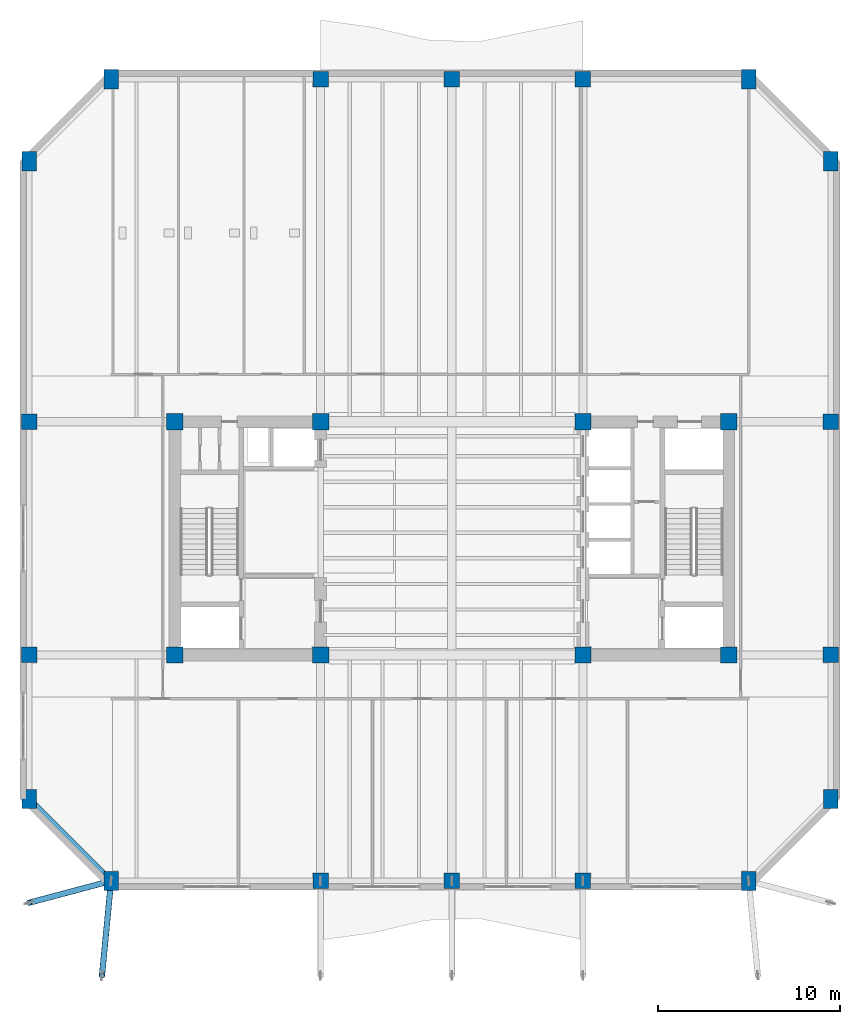
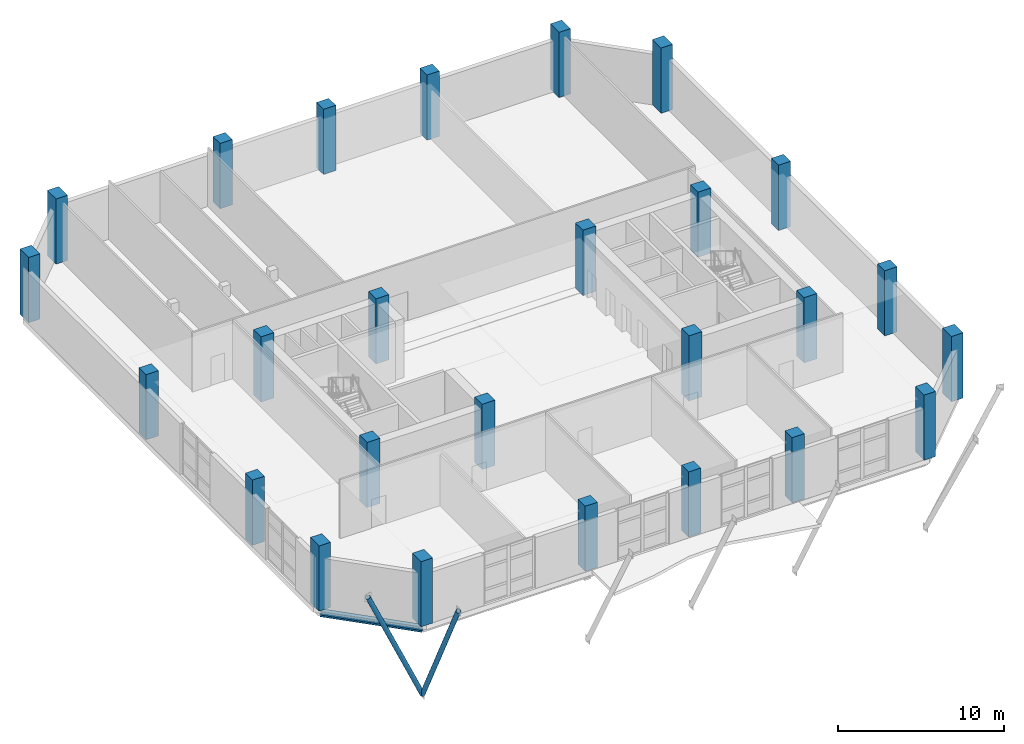
# One storey, part 1 of 15: 26 columns, 2 members, 1 beam.
"""IFC4 building model written with IfcOpenShell, lengths in metres."""

from ifc_helpers import new_model, si_unit, direction, frame, origin, origin_2d, place, context, subcontext, project, spatial, rectangle, hollow_circle, i_section, extrude, material, material_profile, profile_set, type_object, element, save


model = new_model("IFC4")

# Units and contexts
model_context = context("Model", 3, precision=1e-05, world=origin(), true_north=direction((0.0, 1.0)))
body_context = subcontext(model_context, "Body", "Model", "MODEL_VIEW")
ifc_project = project(units=[si_unit("LENGTHUNIT", "METRE"), si_unit("AREAUNIT", "SQUARE_METRE"), si_unit("VOLUMEUNIT", "CUBIC_METRE"), si_unit("PLANEANGLEUNIT", "RADIAN"), si_unit("MASSUNIT", "GRAM", prefix="KILO")], contexts=[model_context])

# Site, building, storey
site_placement = place(None, origin())
site = spatial("IfcSite", under=ifc_project, at=site_placement, CompositionType="ELEMENT")
building_placement = place(site_placement, origin())
building = spatial("IfcBuilding", under=site, at=building_placement, Name="Kranthara Brick Stack", CompositionType="ELEMENT")
storey_placement = place(building_placement, frame((0.0, 0.0, 202.699951171875)))
storey = spatial("IfcBuildingStorey", under=building, at=storey_placement, Name="L52", CompositionType="ELEMENT", Elevation=202.699951171875)

# Columns
ifc_material_1 = material(Name="Concrete C60/75", Category="concrete")
ifc_material_profile_1 = material_profile(ifc_material_1, rectangle(XDim=0.800048828125, YDim=1.050048828125, at=origin_2d()), Name="RC 800x1050")
ifc_profile_set_1 = profile_set([ifc_material_profile_1], Name="Concrete C60/75")
column_type_1 = type_object("IfcColumnType", Name="COL-CHAM-800x1050", PredefinedType="COLUMN", material=ifc_profile_set_1)
for number, where, z_axis, x_axis, name in (
    (1, (9.300048828125, 8.39990234375, 0.0), (0.0, 0.0, 1.0), (1.0, 0.0, 0.0), "L52 Column 09"),
    (2, (9.300048828125, 52.39990234375, 0.0), (0.0, 0.0, 1.0), (1.0, 0.0, 0.0), "L52 Column 10"),
    (3, (44.300048828125, 8.39990234375, 0.0), (0.0, 0.0, 1.0), (1.0, 0.0, 0.0), "L52 Column 17"),
    (4, (44.300048828125, 52.39990234375, 0.0), (0.0, 0.0, 1.0), (1.0, 0.0, 0.0), "L52 Column 18"),
    (5, (4.800048828125, 12.89990234375, 0.0), (0.0, 0.0, 1.0), (1.0, 0.0, 0.0), "L52 Column 19"),
    (6, (48.800048828125, 12.89990234375, 0.0), (0.0, 0.0, 1.0), (1.0, 0.0, 0.0), "L52 Column 20"),
    (7, (4.800048828125, 47.89990234375, 0.0), (0.0, 0.0, 1.0), (1.0, 0.0, 0.0), "L52 Column 25"),
    (8, (48.800048828125, 47.89990234375, 0.0), (0.0, 0.0, 1.0), (1.0, 0.0, 0.0), "L52 Column 26"),
):
    element("IfcColumn", number, at=place(storey_placement, frame(where, z_axis=z_axis, x_axis=x_axis)), inside=storey, type_object=column_type_1, Name=name, PredefinedType="COLUMN", context=body_context, shape_type="SweptSolid", body=[
        extrude(rectangle(XDim=0.800048828125, YDim=1.050048828125, at=origin_2d()), origin(), (0.0, 0.0, 1.0), 4.800048828125),
    ])
ifc_material_2 = material(Name="Concrete C60/75", Category="concrete")
ifc_material_profile_2 = material_profile(ifc_material_2, rectangle(XDim=0.89990234375, YDim=0.89990234375, at=origin_2d()), Name="RC 900x900")
ifc_profile_set_2 = profile_set([ifc_material_profile_2], Name="Concrete C60/75")
column_type_2 = type_object("IfcColumnType", Name="COL-CORE-900", PredefinedType="COLUMN", material=ifc_profile_set_2)
for number, where, z_axis, x_axis, name in (
    (9, (12.800048828125, 20.800048828125, 0.0), (0.0, 0.0, 1.0), (1.0, 0.0, 0.0), "L52 Column 01"),
    (10, (20.800048828125, 20.800048828125, 0.0), (0.0, 0.0, 1.0), (1.0, 0.0, 0.0), "L52 Column 02"),
    (11, (12.800048828125, 33.60009765625, 0.0), (0.0, 0.0, 1.0), (1.0, 0.0, 0.0), "L52 Column 03"),
    (12, (20.800048828125, 33.60009765625, 0.0), (0.0, 0.0, 1.0), (1.0, 0.0, 0.0), "L52 Column 04"),
    (13, (35.199951171875, 20.800048828125, 0.0), (0.0, 0.0, 1.0), (1.0, 0.0, 0.0), "L52 Column 05"),
    (14, (43.199951171875, 20.800048828125, 0.0), (0.0, 0.0, 1.0), (1.0, 0.0, 0.0), "L52 Column 06"),
    (15, (35.199951171875, 33.60009765625, 0.0), (0.0, 0.0, 1.0), (1.0, 0.0, 0.0), "L52 Column 07"),
    (16, (43.199951171875, 33.60009765625, 0.0), (0.0, 0.0, 1.0), (1.0, 0.0, 0.0), "L52 Column 08"),
):
    element("IfcColumn", number, at=place(storey_placement, frame(where, z_axis=z_axis, x_axis=x_axis)), inside=storey, type_object=column_type_2, Name=name, PredefinedType="COLUMN", context=body_context, shape_type="SweptSolid", body=[
        extrude(rectangle(XDim=0.89990234375, YDim=0.89990234375, at=origin_2d()), origin(), (0.0, 0.0, 1.0), 4.800048828125),
    ])
ifc_material_3 = material(Name="Concrete C50/60", Category="concrete")
ifc_material_profile_3 = material_profile(ifc_material_3, rectangle(XDim=0.85009765625, YDim=0.85009765625, at=origin_2d()), Name="RC 850x850")
ifc_profile_set_3 = profile_set([ifc_material_profile_3], Name="Concrete C50/60")
column_type_3 = type_object("IfcColumnType", Name="COL-PER-850", PredefinedType="COLUMN", material=ifc_profile_set_3)
for number, where, z_axis, x_axis, name in (
    (17, (20.800048828125, 8.39990234375, 0.0), (0.0, 0.0, 1.0), (1.0, 0.0, 0.0), "L52 Column 11"),
    (18, (20.800048828125, 52.39990234375, 0.0), (0.0, 0.0, 1.0), (1.0, 0.0, 0.0), "L52 Column 12"),
    (19, (28.0, 8.39990234375, 0.0), (0.0, 0.0, 1.0), (1.0, 0.0, 0.0), "L52 Column 13"),
    (20, (28.0, 52.39990234375, 0.0), (0.0, 0.0, 1.0), (1.0, 0.0, 0.0), "L52 Column 14"),
    (21, (35.199951171875, 8.39990234375, 0.0), (0.0, 0.0, 1.0), (1.0, 0.0, 0.0), "L52 Column 15"),
    (22, (35.199951171875, 52.39990234375, 0.0), (0.0, 0.0, 1.0), (1.0, 0.0, 0.0), "L52 Column 16"),
    (23, (4.800048828125, 20.800048828125, 0.0), (0.0, 0.0, 1.0), (1.0, 0.0, 0.0), "L52 Column 21"),
    (24, (48.800048828125, 20.800048828125, 0.0), (0.0, 0.0, 1.0), (1.0, 0.0, 0.0), "L52 Column 22"),
    (25, (4.800048828125, 33.60009765625, 0.0), (0.0, 0.0, 1.0), (1.0, 0.0, 0.0), "L52 Column 23"),
    (26, (48.800048828125, 33.60009765625, 0.0), (0.0, 0.0, 1.0), (1.0, 0.0, 0.0), "L52 Column 24"),
):
    element("IfcColumn", number, at=place(storey_placement, frame(where, z_axis=z_axis, x_axis=x_axis)), inside=storey, type_object=column_type_3, Name=name, PredefinedType="COLUMN", context=body_context, shape_type="SweptSolid", body=[
        extrude(rectangle(XDim=0.85009765625, YDim=0.85009765625, at=origin_2d()), origin(), (0.0, 0.0, 1.0), 4.800048828125),
    ])

# Beam
ifc_material_4 = material(Name="Steel S355", Category="steel")
ifc_material_profile_4 = material_profile(ifc_material_4, i_section(OverallWidth=0.300048828125, OverallDepth=0.39990234375, WebThickness=0.013427734375, FlangeThickness=0.02392578125, at=origin_2d()), Name="HEB 400")
ifc_profile_set_4 = profile_set([ifc_material_profile_4], Name="Steel S355")
beam_type = type_object("IfcBeamType", Name="BM-STL-HEB400", PredefinedType="SPANDREL", material=ifc_profile_set_4)
beam_placement = place(storey_placement, frame((9.300048828125, 8.39990234375, -0.56005859375), z_axis=(-0.707106781187, 0.707106781187, 0.0), x_axis=(-0.707106781187, -0.707106781187, 0.0)))
element("IfcBeam", 27, at=beam_placement, inside=storey, type_object=beam_type, Name="L52 Chamfer Corner Spandrel 019", PredefinedType="SPANDREL", context=body_context, shape_type="SweptSolid", body=[
    extrude(i_section(OverallWidth=0.300048828125, OverallDepth=0.39990234375, WebThickness=0.013427734375, FlangeThickness=0.02392578125, at=origin_2d()), origin(), (0.0, 0.0, 1.0), 6.364013671875),
])

# Members
ifc_material_5 = material(Name="Steel S355", Category="steel")
ifc_material_profile_5 = material_profile(ifc_material_5, hollow_circle(Radius=0.161865234375, WallThickness=0.01611328125, at=origin_2d()), Name="CHS 323.9x16")
ifc_profile_set_5 = profile_set([ifc_material_profile_5], Name="Steel S355")
member_type = type_object("IfcMemberType", Name="MB-STR-CHS324", PredefinedType="STRUT", material=ifc_profile_set_5)
member_1_placement = place(storey_placement, frame((9.300048828125, 8.39990234375, -5.39990234375), z_axis=(-0.046306010036, -0.481577982307, 0.875179067615), x_axis=(0.995408943473, -0.095713297161, 0.0)))
element("IfcMember", 28, at=member_1_placement, inside=storey, type_object=member_type, Name="L53 Jenga Raked Transfer Strut 46", PredefinedType="STRUT", context=body_context, shape_type="SweptSolid", body=[
    extrude(hollow_circle(Radius=0.161865234375, WallThickness=0.01611328125, at=origin_2d()), origin(), (0.0, 0.0, 1.0), 10.7978515625),
])
member_2_placement = place(storey_placement, frame((9.300048828125, 8.39990234375, -5.39990234375), z_axis=(-0.427137529797, -0.11389870654, 0.896984177835), x_axis=(0.257652862255, -0.966237549763, 0.0)))
element("IfcMember", 29, at=member_2_placement, inside=storey, type_object=member_type, Name="L53 Jenga Raked Transfer Strut 51", PredefinedType="STRUT", context=body_context, shape_type="SweptSolid", body=[
    extrude(hollow_circle(Radius=0.161865234375, WallThickness=0.01611328125, at=origin_2d()), origin(), (0.0, 0.0, 1.0), 10.53515625),
])

save(model, "model.ifc")
